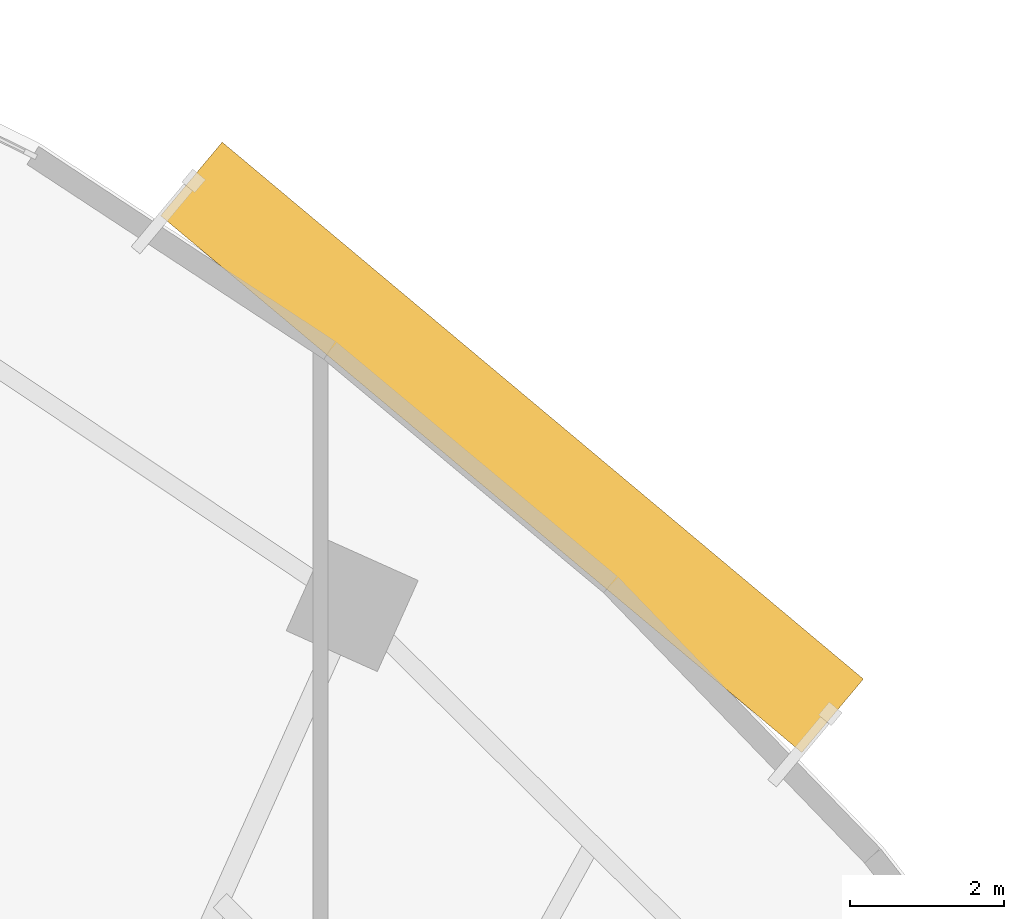
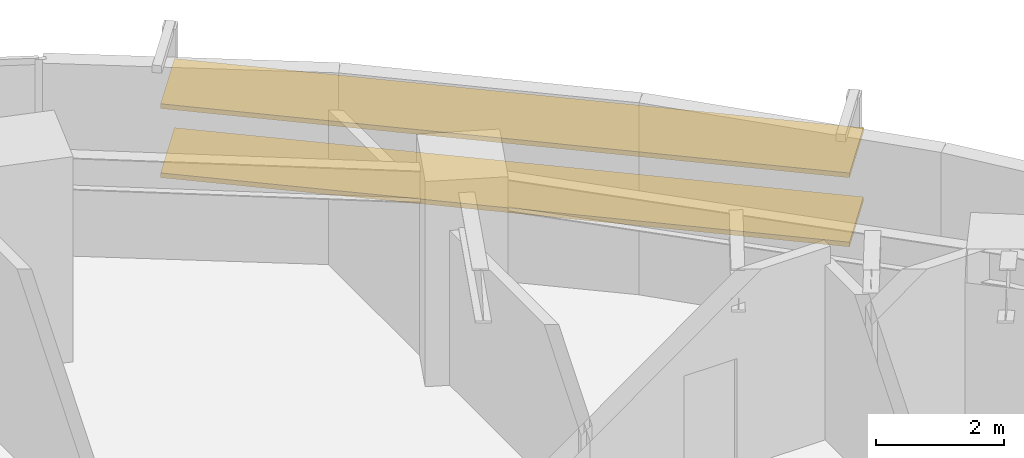
# One storey, part 13 of 13: 2 shading devices.
"""IFC4 building model written with IfcOpenShell, lengths in metres."""

from ifc_helpers import new_model, si_unit, direction, frame, origin, origin_2d, place, context, subcontext, project, spatial, rectangle, extrude, source, transform, mapped, material, material_profile, profile_set, type_object, element, save


model = new_model("IFC4")

# Units and contexts
model_context = context("Model", 3, precision=1e-05, world=origin(), true_north=direction((0.0, 1.0)))
body_context = subcontext(model_context, "Body", "Model", "MODEL_VIEW")
ifc_project = project(units=[si_unit("LENGTHUNIT", "METRE"), si_unit("AREAUNIT", "SQUARE_METRE"), si_unit("VOLUMEUNIT", "CUBIC_METRE"), si_unit("PLANEANGLEUNIT", "RADIAN"), si_unit("MASSUNIT", "GRAM", prefix="KILO")], contexts=[model_context])

# Site, building, storey
site_placement = place(None, origin())
site = spatial("IfcSite", under=ifc_project, at=site_placement, CompositionType="ELEMENT")
building_placement = place(site_placement, origin())
building = spatial("IfcBuilding", under=site, at=building_placement, Name="Breltana Convention Tower", CompositionType="ELEMENT")
storey_placement = place(building_placement, frame((0.0, 0.0, 107.699951171875)))
storey = spatial("IfcBuildingStorey", under=building, at=storey_placement, Name="L25", CompositionType="ELEMENT", Elevation=107.699951171875)

# Shading devices
ifc_material = material(Name="Limestone Warm Buff Honed", Category="masonry")
ifc_material_profile = material_profile(ifc_material, rectangle(XDim=1.25, YDim=0.090087890625, at=origin_2d()), Name="STN-LVR-1250X90")
ifc_profile_set = profile_set([ifc_material_profile], Name="Limestone Warm Buff Honed")
shading_device_type = type_object("IfcShadingDeviceType", Name="SHD-OUTER-SKIN-LIMESTONE-1250", PredefinedType="JALOUSIE", material=ifc_profile_set)
shared_shape = source(origin(), body_context, "Body", "SweptSolid", [
    extrude(rectangle(XDim=1.25, YDim=0.090087890625, at=origin_2d()), origin(), (0.0, 0.0, 1.0), 10.892333984375),
])
for number, where, z_axis, x_axis, name in (
    (1, (66.81591796875, 74.190673828125, 1.31396484375), (0.766718160057, -0.641983849515, 0.0), (0.641983849515, 0.766718160057, 0.0), "L25 outer skin warm limestone louvre 2.1"),
    (2, (66.81591796875, 74.190673828125, 2.6279296875), (0.766718160057, -0.641983849515, 0.0), (0.641983849515, 0.766718160057, 0.0), "L25 outer skin warm limestone louvre 2.2"),
):
    element("IfcShadingDevice", number, at=place(storey_placement, frame(where, z_axis=z_axis, x_axis=x_axis)), inside=storey, type_object=shading_device_type, Name=name, PredefinedType="JALOUSIE", context=body_context, shape_type="MappedRepresentation", body=[
        mapped(shared_shape, transform((0.0, 0.0, 0.0), scale=1.0)),
    ])

save(model, "model.ifc")
